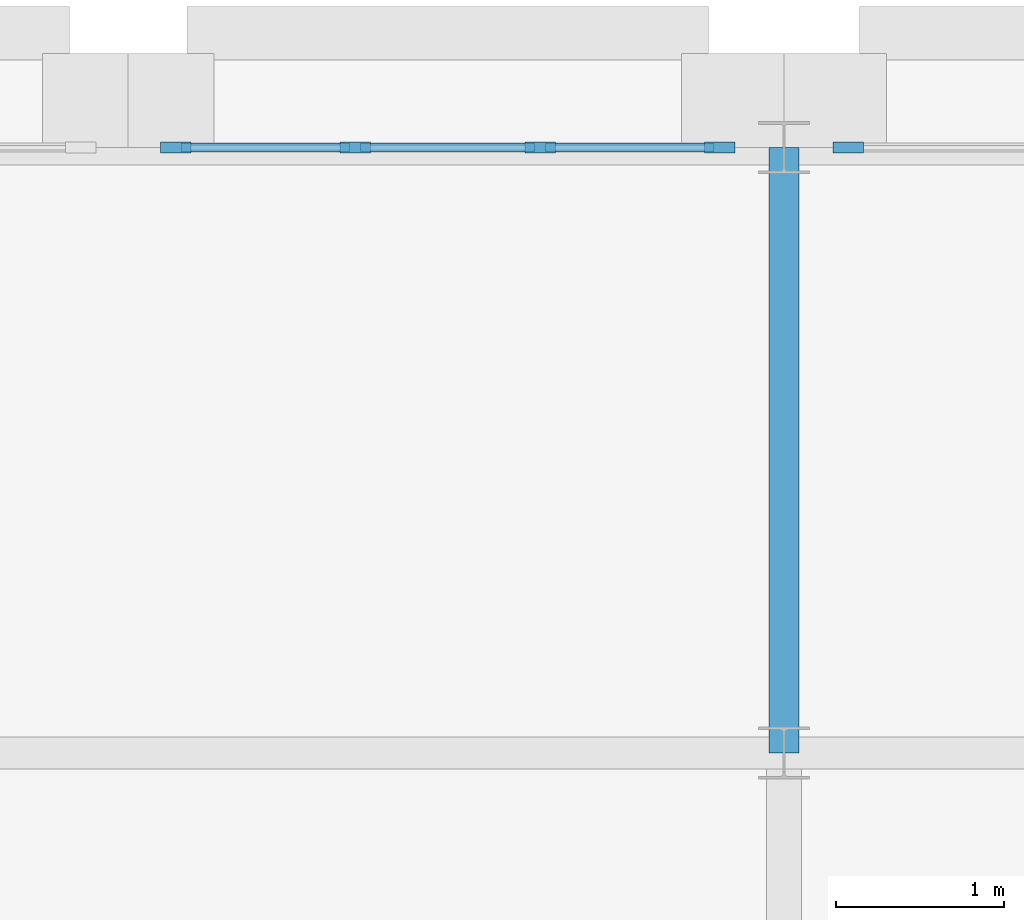
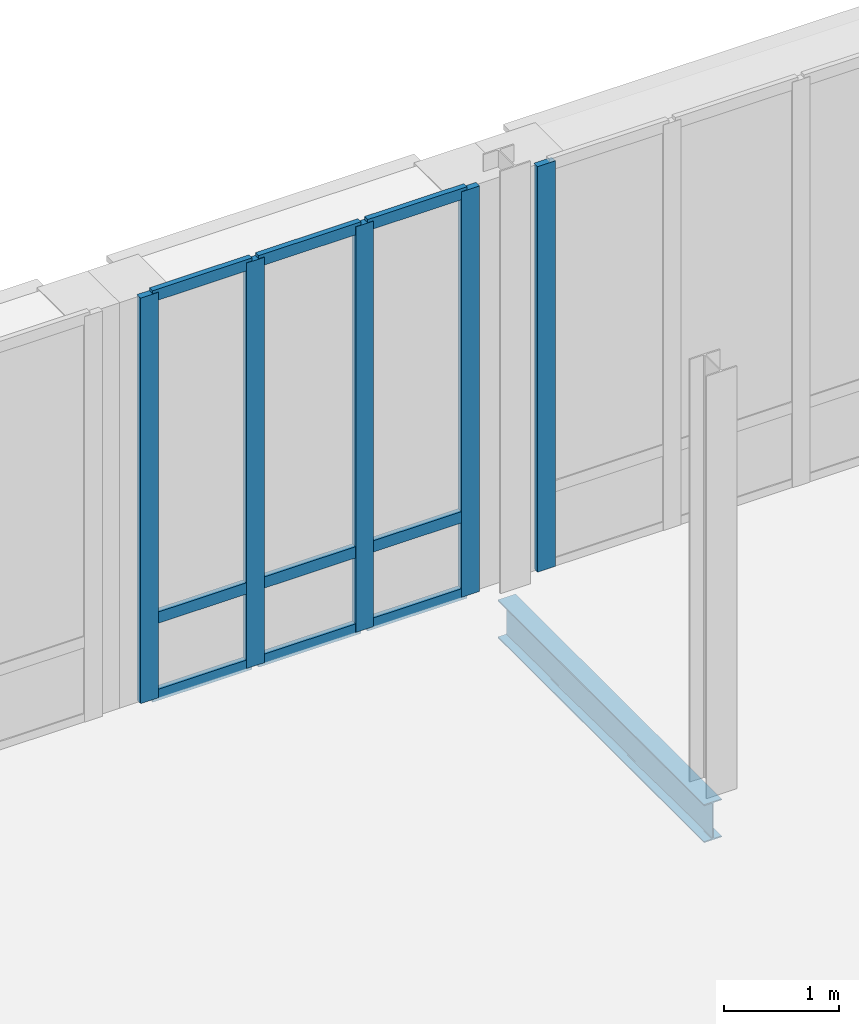
# One storey, part 35 of 130: 14 members, 1 beam, 2 elements without a shape of their own.
"""IFC4 building model written with IfcOpenShell, lengths in metres."""

import ifcopenshell
import ifcopenshell.guid

model = None  # the IFC model being written
_history = None  # IfcOwnerHistory: only IFC2X3 demands one
_inside = {}  # id of a spatial element -> (the spatial element, [elements in it])
_under = {}  # id of a project, library or spatial element -> (it, [spatial elements below it])
_declared = {}  # id of a project -> (the project, [libraries it declares])
_typed = {}  # id of a type object -> (the type object, [elements of that type])
_made_of = {}  # id of a material, layer set ... -> (it, [elements and type objects made of it])


def new_model(schema):
    """Start an empty IFC model of exactly this schema.

    Asked for "IFC4X3", IfcOpenShell would pick the latest addendum, in which some entities
    have other attributes; the version numbers below select the first issue.
    IFC2X3 requires an IfcOwnerHistory on every rooted entity: one is made here for all.
    """
    global model, _history
    if schema == "IFC4X3":
        model = ifcopenshell.file(schema_version=(4, 3, 0, 0))
    else:
        model = ifcopenshell.file(schema=schema)
    _inside.clear()
    _under.clear()
    _declared.clear()
    _typed.clear()
    _made_of.clear()
    _history = None
    if model.schema == "IFC2X3":
        org = make("IfcOrganization", Name="unknown")
        user = make(
            "IfcPersonAndOrganization",
            ThePerson=make("IfcPerson", FamilyName="unknown"),
            TheOrganization=org,
        )
        app = make(
            "IfcApplication",
            ApplicationDeveloper=org,
            Version="unknown",
            ApplicationFullName="unknown",
            ApplicationIdentifier="unknown",
        )
        _history = make(
            "IfcOwnerHistory",
            OwningUser=user,
            OwningApplication=app,
            ChangeAction="ADDED",
            CreationDate=0,
        )
    return model


def make(cls, **values):
    """One entity of the class cls with the attributes given. An attribute that is None is left unset."""
    return model.create_entity(
        cls, **{name: value for name, value in values.items() if value is not None}
    )


def rooted(cls, **values):
    """An entity with a GlobalId (a new one), such as an element, a storey or a relation."""
    return make(cls, GlobalId=ifcopenshell.guid.new(), OwnerHistory=_history, **values)


def si_unit(unit_type, name, prefix=None):
    """IfcSIUnit, for example si_unit("LENGTHUNIT", "METRE", prefix="MILLI")."""
    return make("IfcSIUnit", UnitType=unit_type, Prefix=prefix, Name=name)


def assignment(units):
    """IfcUnitAssignment: the units of a project."""
    return None if units is None else make("IfcUnitAssignment", Units=units)


def point(xyz):
    """IfcCartesianPoint."""
    return None if xyz is None else make("IfcCartesianPoint", Coordinates=xyz)


def direction(xyz):
    """IfcDirection."""
    return None if xyz is None else make("IfcDirection", DirectionRatios=xyz)


def frame(location, z_axis=None, x_axis=None):
    """IfcAxis2Placement3D, a coordinate frame: its origin and axes. An axis left out is left unset."""
    return make(
        "IfcAxis2Placement3D",
        Location=point(location),
        Axis=direction(z_axis),
        RefDirection=direction(x_axis),
    )


def frame_2d(location, x_axis=None):
    """IfcAxis2Placement2D, a coordinate frame in the plane: its origin and x axis."""
    return make(
        "IfcAxis2Placement2D", Location=point(location), RefDirection=direction(x_axis)
    )


def origin():
    """The frame at (0, 0, 0) with its axes left unset."""
    return frame((0.0, 0.0, 0.0))


def origin_2d():
    """The frame at (0, 0) in the plane with its x axis left unset."""
    return frame_2d((0.0, 0.0))


def place(relative_to, where):
    """IfcLocalPlacement: puts the frame where relative to a parent placement (None: the world)."""
    return make(
        "IfcLocalPlacement", PlacementRelTo=relative_to, RelativePlacement=where
    )


def context(
    kind, dimensions, precision=None, world=None, true_north=None, identifier=None
):
    """IfcGeometricRepresentationContext, for example the 3D "Model" context."""
    return make(
        "IfcGeometricRepresentationContext",
        ContextIdentifier=identifier,
        ContextType=kind,
        CoordinateSpaceDimension=dimensions,
        Precision=precision,
        WorldCoordinateSystem=world,
        TrueNorth=true_north,
    )


def subcontext(parent, identifier, kind, view, scale=None):
    """IfcGeometricRepresentationSubContext, for example "Body" below "Model"."""
    return make(
        "IfcGeometricRepresentationSubContext",
        ContextIdentifier=identifier,
        ContextType=kind,
        ParentContext=parent,
        TargetScale=scale,
        TargetView=view,
    )


def project(units=None, contexts=None):
    """IfcProject with its units and contexts."""
    return rooted(
        "IfcProject",
        Name="project",
        RepresentationContexts=contexts,
        UnitsInContext=assignment(units),
    )


def spatial(cls, under=None, at=None, **own):
    """A site, building, storey or space (cls), placed at a placement, below another one or the project."""
    s = rooted(cls, ObjectPlacement=at, **own)
    if under is not None:
        _under.setdefault(under.id(), (under, []))[1].append(s)
    return s


def profile(cls, at=None, kind="AREA", **sizes):
    """A parametric profile (cls). Its sizes go by their IFC names, for example OverallWidth=200.0."""
    return make(cls, ProfileType=kind, Position=at, **sizes)


def rectangle(**sizes):
    """IfcRectangleProfileDef."""
    return profile("IfcRectangleProfileDef", **sizes)


def i_section(**sizes):
    """IfcIShapeProfileDef."""
    return profile("IfcIShapeProfileDef", **sizes)


def extrude(swept, where, along, depth):
    """IfcExtrudedAreaSolid: the profile swept, set in the frame where, extruded along a direction by depth."""
    return make(
        "IfcExtrudedAreaSolid",
        SweptArea=swept,
        Position=where,
        ExtrudedDirection=direction(along),
        Depth=depth,
    )


def shape(context_of_items, identifier, shape_type, items):
    """IfcShapeRepresentation: the items that make up one representation, for example the "Body"."""
    return make(
        "IfcShapeRepresentation",
        ContextOfItems=context_of_items,
        RepresentationIdentifier=identifier,
        RepresentationType=shape_type,
        Items=items,
    )


def material(Name=None, Category=None):
    """IfcMaterial."""
    return make("IfcMaterial", Name=Name, Category=Category)


def material_profile(
    of_material, cross_section, Name=None, Category=None, Priority=None
):
    """IfcMaterialProfile: a cross section and its material."""
    return make(
        "IfcMaterialProfile",
        Name=Name,
        Material=of_material,
        Profile=cross_section,
        Priority=Priority,
        Category=Category,
    )


def profile_set(profiles, Name=None, composite=None):
    """IfcMaterialProfileSet."""
    return make(
        "IfcMaterialProfileSet",
        Name=Name,
        MaterialProfiles=profiles,
        CompositeProfile=composite,
    )


def made_of(thing, what):
    """Note that an element or type object is made of a material, layer set ...; save() writes the relation."""
    if what is not None:
        _made_of.setdefault(what.id(), (what, []))[1].append(thing)
    return thing


def type_object(cls, material=None, **own):
    """A type object (cls), such as IfcWallType, which elements share."""
    return made_of(rooted(cls, **own), material)


def element(
    cls,
    number,
    at=None,
    inside=None,
    cuts=None,
    type_object=None,
    material=None,
    context=None,
    identifier="Body",
    shape_type=None,
    held_by="IfcProductDefinitionShape",
    body=None,
    shapes=None,
    **own,
):
    """One element of the class cls, such as IfcWall. Its Tag is "e" and its number.

    at: its placement. inside: the storey or other place that contains it. cuts: it is an
    opening in that element (IfcRelVoidsElement). A single representation is given by context,
    identifier, shape_type and body (its items); several are given by shapes. held_by: the class
    of the entity that holds the representations. save() writes the other relations.
    """
    e = rooted(cls, Tag="e%d" % number, ObjectPlacement=at, **own)
    if body is not None:
        shapes = [shape(context, identifier, shape_type, body)]
    if shapes is not None:
        e.Representation = make(held_by, Representations=shapes)
    if inside is not None:
        _inside.setdefault(inside.id(), (inside, []))[1].append(e)
    if cuts is not None:
        rooted(
            "IfcRelVoidsElement", RelatingBuildingElement=cuts, RelatedOpeningElement=e
        )
    if type_object is not None:
        _typed.setdefault(type_object.id(), (type_object, []))[1].append(e)
    return made_of(e, material)


def aggregate(whole, parts):
    """IfcRelAggregates: a whole, such as a stair, and the parts it consists of."""
    return rooted("IfcRelAggregates", RelatingObject=whole, RelatedObjects=parts)


def save(model, path):
    """Write the relations noted so far, then the file.

    IfcRelAggregates (storeys below a building ...), IfcRelContainedInSpatialStructure (elements
    in a storey), IfcRelDefinesByType, IfcRelAssociatesMaterial and IfcRelDeclares: one each for
    every whole, place, type object, material and project.
    """
    for whole, parts in _under.values():
        aggregate(whole, parts)
    for where, things in _inside.values():
        rooted(
            "IfcRelContainedInSpatialStructure",
            RelatedElements=things,
            RelatingStructure=where,
        )
    for kind, things in _typed.values():
        rooted("IfcRelDefinesByType", RelatedObjects=things, RelatingType=kind)
    for what, things in _made_of.values():
        rooted("IfcRelAssociatesMaterial", RelatedObjects=things, RelatingMaterial=what)
    for by, libraries in _declared.values():
        rooted("IfcRelDeclares", RelatingContext=by, RelatedDefinitions=libraries)
    model.write(path)


model = new_model("IFC4")

# Units and contexts
model_context = context("Model", 3, precision=1e-05, world=origin(), true_north=direction((0.0, 1.0)))
body_context = subcontext(model_context, "Body", "Model", "MODEL_VIEW")
ifc_project = project(units=[si_unit("LENGTHUNIT", "METRE"), si_unit("AREAUNIT", "SQUARE_METRE"), si_unit("VOLUMEUNIT", "CUBIC_METRE"), si_unit("PLANEANGLEUNIT", "RADIAN"), si_unit("MASSUNIT", "GRAM", prefix="KILO"), si_unit("THERMODYNAMICTEMPERATUREUNIT", "KELVIN"), si_unit("POWERUNIT", "WATT")], contexts=[model_context])

# Site, building, storey
site_placement = place(None, origin())
site = spatial("IfcSite", under=ifc_project, at=site_placement, CompositionType="ELEMENT")
building_placement = place(site_placement, origin())
building = spatial("IfcBuilding", under=site, at=building_placement, Name="Tallowbark Science Centre", CompositionType="ELEMENT")
storey_placement = place(building_placement, frame((0.0, 0.0, 5.39990234375)))
storey = spatial("IfcBuildingStorey", under=building, at=storey_placement, Name="L01", CompositionType="ELEMENT", Elevation=5.39990234375)

# Beam
ifc_material_1 = material(Name="Structural Steel Grade 300PLUS (300 MPa)", Category="steel")
ifc_material_profile_1 = material_profile(ifc_material_1, i_section(OverallWidth=0.177734375, OverallDepth=0.406494140625, WebThickness=0.0078125, FlangeThickness=0.0126953125, FilletRadius=0.011474609375, at=origin_2d()), Name="410UB59.7")
ifc_profile_set_1 = profile_set([ifc_material_profile_1], Name="Structural Steel Grade 300PLUS (300 MPa)")
beam_type = type_object("IfcBeamType", Name="BM-UB410", PredefinedType="BEAM", material=ifc_profile_set_1)
beam_placement = place(storey_placement, frame((63.0, 108.0, -0.383056640625), z_axis=(0.0, 1.0, 0.0), x_axis=(-1.0, 0.0, 0.0)))
element("IfcBeam", 1, at=beam_placement, inside=storey, type_object=beam_type, Name="Primary Girder GRDY-L01-630-1080-1116", PredefinedType="BEAM", context=body_context, shape_type="SweptSolid", body=[
    extrude(i_section(OverallWidth=0.177734375, OverallDepth=0.406494140625, WebThickness=0.0078125, FlangeThickness=0.0126953125, FilletRadius=0.011474609375, at=origin_2d()), origin(), (0.0, 0.0, 1.0), 3.60009765625),
])

# Curtain wall, members
ifc_material_2 = material(Name="Unitised Thermally Broken Aluminium and Low-E Double Glazing", Category="aluminium")
curtain_wall_type = type_object("IfcCurtainWallType", Name="CW-SYS-FACADE", PredefinedType="NOTDEFINED", material=ifc_material_2)
curtain_wall_1_placement = place(storey_placement, origin())
curtain_wall_1 = element("IfcCurtainWall", 2, at=curtain_wall_1_placement, inside=storey, type_object=curtain_wall_type, Name="Unitised Curtain Wall CAF-N-55A CW-L01-049", PredefinedType="NOTDEFINED")
ifc_material_3 = material(Name="Anodised Architectural Aluminium Alloy 6063-T6", Category="aluminium")
ifc_material_profile_2 = material_profile(ifc_material_3, rectangle(XDim=0.06494140625, YDim=0.179931640625, at=origin_2d()), Name="ALU65x180")
ifc_profile_set_2 = profile_set([ifc_material_profile_2], Name="Anodised Architectural Aluminium Alloy 6063-T6")
member_type_1 = type_object("IfcMemberType", Name="CWM-MUL-220", PredefinedType="MULLION", material=ifc_profile_set_2)
member_1_placement = place(storey_placement, frame((62.617431640625, 111.60009765625, 0.0), z_axis=(0.0, 0.0, 1.0), x_axis=(0.0, -1.0, 0.0)))
member_1 = element("IfcMember", 3, at=member_1_placement, type_object=member_type_1, Name="CW-01 mullion 1", PredefinedType="MULLION", context=body_context, shape_type="SweptSolid", body=[
    extrude(rectangle(XDim=0.06494140625, YDim=0.179931640625, at=origin_2d()), origin(), (0.0, 0.0, 1.0), 4.320068359375),
])
member_2_placement = place(storey_placement, frame((61.550048828125, 111.60009765625, 0.0), z_axis=(0.0, 0.0, 1.0), x_axis=(0.0, -1.0, 0.0)))
member_2 = element("IfcMember", 4, at=member_2_placement, type_object=member_type_1, Name="CW-01 mullion 2", PredefinedType="MULLION", context=body_context, shape_type="SweptSolid", body=[
    extrude(rectangle(XDim=0.06494140625, YDim=0.179931640625, at=origin_2d()), origin(), (0.0, 0.0, 1.0), 4.320068359375),
])
member_3_placement = place(storey_placement, frame((60.449951171875, 111.60009765625, 0.0), z_axis=(0.0, 0.0, 1.0), x_axis=(0.0, -1.0, 0.0)))
member_3 = element("IfcMember", 5, at=member_3_placement, type_object=member_type_1, Name="CW-01 mullion 3", PredefinedType="MULLION", context=body_context, shape_type="SweptSolid", body=[
    extrude(rectangle(XDim=0.06494140625, YDim=0.179931640625, at=origin_2d()), origin(), (0.0, 0.0, 1.0), 4.320068359375),
])
member_4_placement = place(storey_placement, frame((59.382568359375, 111.60009765625, 0.0), z_axis=(0.0, 0.0, 1.0), x_axis=(0.0, -1.0, 0.0)))
member_4 = element("IfcMember", 6, at=member_4_placement, type_object=member_type_1, Name="CW-01 mullion 4", PredefinedType="MULLION", context=body_context, shape_type="SweptSolid", body=[
    extrude(rectangle(XDim=0.06494140625, YDim=0.179931640625, at=origin_2d()), origin(), (0.0, 0.0, 1.0), 4.320068359375),
])

# Curtain wall, member
curtain_wall_2_placement = place(storey_placement, origin())
curtain_wall_2 = element("IfcCurtainWall", 7, at=curtain_wall_2_placement, inside=storey, type_object=curtain_wall_type, Name="Unitised Curtain Wall CAF-N-63B CW-L01-052", PredefinedType="NOTDEFINED")
member_5_placement = place(storey_placement, frame((63.382568359375, 111.60009765625, 0.0), z_axis=(0.0, 0.0, 1.0), x_axis=(0.0, -1.0, 0.0)))
member_5 = element("IfcMember", 8, at=member_5_placement, type_object=member_type_1, Name="CW-01 mullion 4", PredefinedType="MULLION", context=body_context, shape_type="SweptSolid", body=[
    extrude(rectangle(XDim=0.06494140625, YDim=0.179931640625, at=origin_2d()), origin(), (0.0, 0.0, 1.0), 4.320068359375),
])
aggregate(curtain_wall_2, [member_5])

# Member
ifc_material_profile_3 = material_profile(ifc_material_3, rectangle(XDim=0.054931640625, YDim=0.1201171875, at=origin_2d()), Name="ALU55x120")
ifc_profile_set_3 = profile_set([ifc_material_profile_3], Name="Anodised Architectural Aluminium Alloy 6063-T6")
member_type_2 = type_object("IfcMemberType", Name="CWM-TRN-150", PredefinedType="USERDEFINED", material=ifc_profile_set_3)
member_6_placement = place(storey_placement, frame((62.5849609375, 111.60009765625, 0.027587890625), z_axis=(-1.0, 0.0, 0.0), x_axis=(0.0, -1.0, 0.0)))
member_6 = element("IfcMember", 9, at=member_6_placement, type_object=member_type_2, Name="CW-01 transom 1.1", ObjectType="TRANSOM", PredefinedType="USERDEFINED", context=body_context, shape_type="SweptSolid", body=[
    extrude(rectangle(XDim=0.054931640625, YDim=0.1201171875, at=origin_2d()), origin(), (0.0, 0.0, 1.0), 1.00244140625),
])

member_7_placement = place(storey_placement, frame((62.5849609375, 111.60009765625, 0.85009765625), z_axis=(-1.0, 0.0, 0.0), x_axis=(0.0, -1.0, 0.0)))
member_7 = element("IfcMember", 10, at=member_7_placement, type_object=member_type_2, Name="CW-01 transom 1.2", ObjectType="TRANSOM", PredefinedType="USERDEFINED", context=body_context, shape_type="SweptSolid", body=[
    extrude(rectangle(XDim=0.054931640625, YDim=0.1201171875, at=origin_2d()), origin(), (0.0, 0.0, 1.0), 1.00244140625),
])

member_8_placement = place(storey_placement, frame((62.5849609375, 111.60009765625, 4.29248046875), z_axis=(-1.0, 0.0, 0.0), x_axis=(0.0, -1.0, 0.0)))
member_8 = element("IfcMember", 11, at=member_8_placement, type_object=member_type_2, Name="CW-01 transom 1.3", ObjectType="TRANSOM", PredefinedType="USERDEFINED", context=body_context, shape_type="SweptSolid", body=[
    extrude(rectangle(XDim=0.054931640625, YDim=0.1201171875, at=origin_2d()), origin(), (0.0, 0.0, 1.0), 1.00244140625),
])

member_9_placement = place(storey_placement, frame((61.517578125, 111.60009765625, 0.027587890625), z_axis=(-1.0, 0.0, 0.0), x_axis=(0.0, -1.0, 0.0)))
member_9 = element("IfcMember", 12, at=member_9_placement, type_object=member_type_2, Name="CW-01 transom 2.1", ObjectType="TRANSOM", PredefinedType="USERDEFINED", context=body_context, shape_type="SweptSolid", body=[
    extrude(rectangle(XDim=0.054931640625, YDim=0.1201171875, at=origin_2d()), origin(), (0.0, 0.0, 1.0), 1.03515625),
])

member_10_placement = place(storey_placement, frame((61.517578125, 111.60009765625, 0.85009765625), z_axis=(-1.0, 0.0, 0.0), x_axis=(0.0, -1.0, 0.0)))
member_10 = element("IfcMember", 13, at=member_10_placement, type_object=member_type_2, Name="CW-01 transom 2.2", ObjectType="TRANSOM", PredefinedType="USERDEFINED", context=body_context, shape_type="SweptSolid", body=[
    extrude(rectangle(XDim=0.054931640625, YDim=0.1201171875, at=origin_2d()), origin(), (0.0, 0.0, 1.0), 1.03515625),
])

member_11_placement = place(storey_placement, frame((61.517578125, 111.60009765625, 4.29248046875), z_axis=(-1.0, 0.0, 0.0), x_axis=(0.0, -1.0, 0.0)))
member_11 = element("IfcMember", 14, at=member_11_placement, type_object=member_type_2, Name="CW-01 transom 2.3", ObjectType="TRANSOM", PredefinedType="USERDEFINED", context=body_context, shape_type="SweptSolid", body=[
    extrude(rectangle(XDim=0.054931640625, YDim=0.1201171875, at=origin_2d()), origin(), (0.0, 0.0, 1.0), 1.03515625),
])

member_12_placement = place(storey_placement, frame((60.41748046875, 111.60009765625, 0.027587890625), z_axis=(-1.0, 0.0, 0.0), x_axis=(0.0, -1.0, 0.0)))
member_12 = element("IfcMember", 15, at=member_12_placement, type_object=member_type_2, Name="CW-01 transom 3.1", ObjectType="TRANSOM", PredefinedType="USERDEFINED", context=body_context, shape_type="SweptSolid", body=[
    extrude(rectangle(XDim=0.054931640625, YDim=0.1201171875, at=origin_2d()), origin(), (0.0, 0.0, 1.0), 1.00244140625),
])

member_13_placement = place(storey_placement, frame((60.41748046875, 111.60009765625, 0.85009765625), z_axis=(-1.0, 0.0, 0.0), x_axis=(0.0, -1.0, 0.0)))
member_13 = element("IfcMember", 16, at=member_13_placement, type_object=member_type_2, Name="CW-01 transom 3.2", ObjectType="TRANSOM", PredefinedType="USERDEFINED", context=body_context, shape_type="SweptSolid", body=[
    extrude(rectangle(XDim=0.054931640625, YDim=0.1201171875, at=origin_2d()), origin(), (0.0, 0.0, 1.0), 1.00244140625),
])

member_14_placement = place(storey_placement, frame((60.41748046875, 111.60009765625, 4.29248046875), z_axis=(-1.0, 0.0, 0.0), x_axis=(0.0, -1.0, 0.0)))
member_14 = element("IfcMember", 17, at=member_14_placement, type_object=member_type_2, Name="CW-01 transom 3.3", ObjectType="TRANSOM", PredefinedType="USERDEFINED", context=body_context, shape_type="SweptSolid", body=[
    extrude(rectangle(XDim=0.054931640625, YDim=0.1201171875, at=origin_2d()), origin(), (0.0, 0.0, 1.0), 1.00244140625),
])

aggregate(curtain_wall_1, [member_1, member_2, member_3, member_4, member_6, member_7, member_8, member_9, member_10, member_11, member_12, member_13, member_14])

save(model, "model.ifc")
